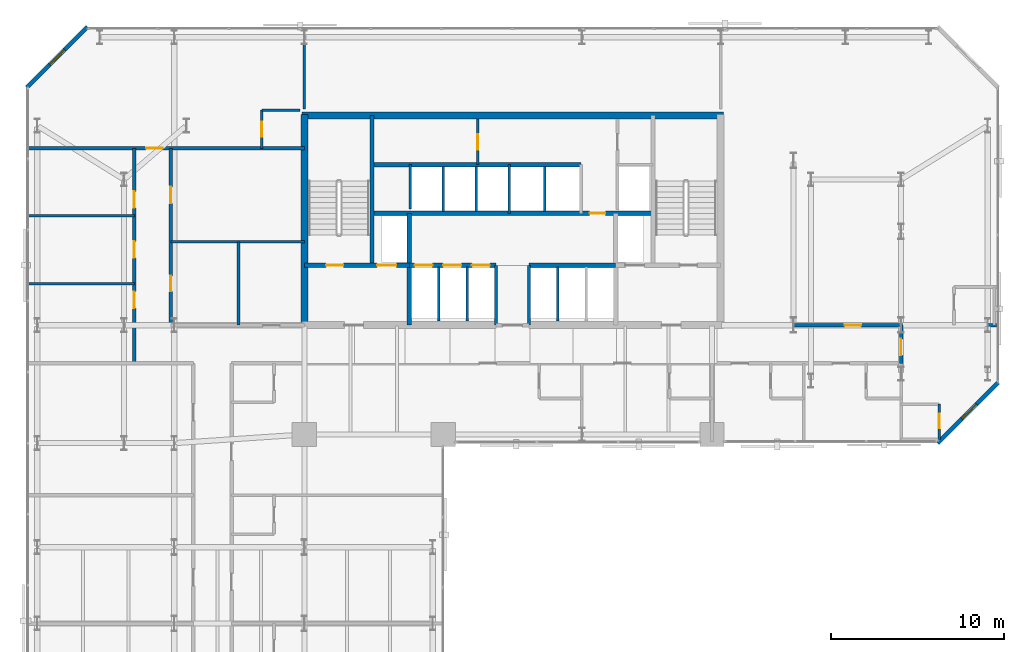
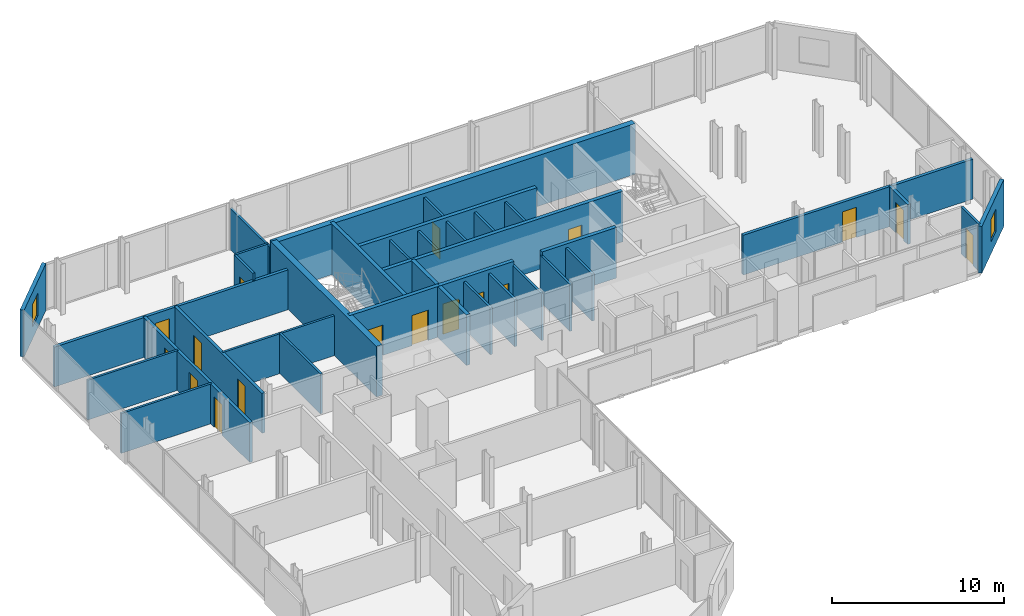
# One storey, part 29 of 32: 35 walls, 17 doors, 2 windows, 19 openings.
"""IFC4 building model written with IfcOpenShell, lengths in metres."""

from ifc_helpers import new_model, si_unit, direction, frame, frame_2d, origin, place, context, subcontext, project, spatial, rectangle, extrude, material, layer, layer_set, type_object, element, fill, save


model = new_model("IFC4")

# Units and contexts
model_context = context("Model", 3, precision=1e-05, world=origin(), true_north=direction((0.0, 1.0)))
body_context = subcontext(model_context, "Body", "Model", "MODEL_VIEW")
ifc_project = project(units=[si_unit("LENGTHUNIT", "METRE"), si_unit("AREAUNIT", "SQUARE_METRE"), si_unit("VOLUMEUNIT", "CUBIC_METRE"), si_unit("PLANEANGLEUNIT", "RADIAN"), si_unit("MASSUNIT", "GRAM", prefix="KILO")], contexts=[model_context])

# Site, building, storey
site_placement = place(None, origin())
site = spatial("IfcSite", under=ifc_project, at=site_placement, CompositionType="ELEMENT")
building_placement = place(site_placement, origin())
building = spatial("IfcBuilding", under=site, at=building_placement, Name="Catumbela Crestline Tower", CompositionType="ELEMENT")
storey_placement = place(building_placement, frame((0.0, 0.0, 65.4)))
storey = spatial("IfcBuildingStorey", under=building, at=storey_placement, Name="L16", CompositionType="ELEMENT", Elevation=65.4)

# Walls
ifc_material_1 = material(Name="Concrete C50/60", Category="concrete")
ifc_layer_1 = layer(ifc_material_1, 0.25, Name="Concrete C50/60")
ifc_layer_set_1 = layer_set([ifc_layer_1], Name="Concrete C50/60")
wall_type_1 = type_object("IfcWallType", Name="CW-250D", PredefinedType="SHEAR", material=ifc_layer_set_1)
wall_1_placement = place(storey_placement, frame((19.9, 34.25, 0.0), z_axis=(0.0, 0.0, 1.0), x_axis=(0.0, 1.0, 0.0)))
element("IfcWall", 1, at=wall_1_placement, inside=storey, type_object=wall_type_1, Name="L16 Structural Core Shear Wall WWEB", PredefinedType="SHEAR", context=body_context, shape_type="SweptSolid", body=[
    extrude(rectangle(XDim=8.65, YDim=0.25, at=frame_2d((4.325, 0.0))), origin(), (0.0, 0.0, 1.0), 3.6),
])
wall_2_placement = place(storey_placement, frame((22.05, 30.8, 0.0), z_axis=(0.0, 0.0, 1.0), x_axis=(0.0, 1.0, 0.0)))
element("IfcWall", 2, at=wall_2_placement, inside=storey, type_object=wall_type_1, Name="L16 Structural Core Shear Wall FFW", PredefinedType="SHEAR", context=body_context, shape_type="SweptSolid", body=[
    extrude(rectangle(XDim=6.45, YDim=0.25, at=frame_2d((3.225, 0.0))), origin(), (0.0, 0.0, 1.0), 3.6),
])

# Wall, openings, doors
wall_3_placement = place(storey_placement, frame((16.0, 34.25, 0.0), z_axis=(0.0, 0.0, 1.0), x_axis=(1.0, 0.0, 0.0)))
wall_3 = element("IfcWall", 3, at=wall_3_placement, inside=storey, type_object=wall_type_1, Name="L16 Structural Core Shear Wall ST1S", PredefinedType="SHEAR", context=body_context, shape_type="SweptSolid", body=[
    extrude(rectangle(XDim=6.05, YDim=0.25, at=frame_2d((3.025, 0.0))), origin(), (0.0, 0.0, 1.0), 3.6),
])
opening_1_placement = place(wall_3_placement, frame((1.25, 0.0, 0.0)))
opening_1 = element("IfcOpeningElement", 4, at=opening_1_placement, cuts=wall_3, Name="Opening DF9-100", PredefinedType="OPENING", context=body_context, shape_type="SweptSolid", body=[
    extrude(rectangle(XDim=1.0, YDim=2.15, at=frame_2d((0.5, 1.075))), frame((0.0, 0.135, 0.0), z_axis=(0.0, -1.0, 0.0), x_axis=(1.0, 0.0, 0.0)), (0.0, 0.0, 1.0), 0.27),
])
opening_2_placement = place(wall_3_placement, frame((4.2, 0.0, 0.0)))
opening_2 = element("IfcOpeningElement", 5, at=opening_2_placement, cuts=wall_3, Name="Opening LD-110", PredefinedType="OPENING", context=body_context, shape_type="SweptSolid", body=[
    extrude(rectangle(XDim=1.1, YDim=2.15, at=frame_2d((0.55, 1.075))), frame((0.0, 0.135, 0.0), z_axis=(0.0, -1.0, 0.0), x_axis=(1.0, 0.0, 0.0)), (0.0, 0.0, 1.0), 0.27),
])
ifc_material_2 = material(Name="Stainless steel EN 1.4401", Category="steel")
door_type_1 = type_object("IfcDoorType", Name="DF9-100", OperationType="NOTDEFINED", PredefinedType="DOOR", material=ifc_material_2)
door_1_placement = place(opening_1_placement, origin())
door_1 = element("IfcDoor", 6, at=door_1_placement, inside=storey, type_object=door_type_1, Name="L16 Interior Door DR-L16-ST01", OperationType="SINGLE_SWING_LEFT", OverallHeight=2.15, OverallWidth=1.0, PredefinedType="DOOR", context=body_context, shape_type="SweptSolid", body=[
    extrude(rectangle(XDim=1.0, YDim=2.15, at=frame_2d((0.5, 1.075))), frame((0.0, 0.025, 0.0), z_axis=(0.0, -1.0, 0.0), x_axis=(1.0, 0.0, 0.0)), (0.0, 0.0, 1.0), 0.05),
])
fill(opening_1, door_1)
door_type_2 = type_object("IfcDoorType", Name="LD-110", OperationType="NOTDEFINED", PredefinedType="DOOR", material=ifc_material_2)
door_2_placement = place(opening_2_placement, origin())
door_2 = element("IfcDoor", 7, at=door_2_placement, inside=storey, type_object=door_type_2, Name="L16 Lift Landing Sliding Door FL-01", OperationType="DOUBLE_DOOR_SLIDING", OverallHeight=2.15, OverallWidth=1.1, PredefinedType="DOOR", context=body_context, shape_type="SweptSolid", body=[
    extrude(rectangle(XDim=1.1, YDim=2.15, at=frame_2d((0.55, 1.075))), frame((0.0, 0.025, 0.0), z_axis=(0.0, -1.0, 0.0), x_axis=(1.0, 0.0, 0.0)), (0.0, 0.0, 1.0), 0.05),
])
fill(opening_2, door_2)

wall_4_placement = place(storey_placement, frame((22.05, 34.25, 0.0), z_axis=(0.0, 0.0, 1.0), x_axis=(1.0, 0.0, 0.0)))
wall_4 = element("IfcWall", 8, at=wall_4_placement, inside=storey, type_object=wall_type_1, Name="L16 Structural Core Shear Wall LIFTS-W", PredefinedType="SHEAR", context=body_context, shape_type="SweptSolid", body=[
    extrude(rectangle(XDim=5.0, YDim=0.25, at=frame_2d((2.5, 0.0))), origin(), (0.0, 0.0, 1.0), 3.6),
])
opening_3_placement = place(wall_4_placement, frame((0.3, 0.0, 0.0)))
opening_3 = element("IfcOpeningElement", 9, at=opening_3_placement, cuts=wall_4, Name="Opening LD-105", PredefinedType="OPENING", context=body_context, shape_type="SweptSolid", body=[
    extrude(rectangle(XDim=1.05, YDim=2.15, at=frame_2d((0.525, 1.075))), frame((0.0, 0.135, 0.0), z_axis=(0.0, -1.0, 0.0), x_axis=(1.0, 0.0, 0.0)), (0.0, 0.0, 1.0), 0.27),
])
opening_4_placement = place(wall_4_placement, frame((1.95, 0.0, 0.0)))
opening_4 = element("IfcOpeningElement", 10, at=opening_4_placement, cuts=wall_4, Name="Opening LD-105", PredefinedType="OPENING", context=body_context, shape_type="SweptSolid", body=[
    extrude(rectangle(XDim=1.05, YDim=2.15, at=frame_2d((0.525, 1.075))), frame((0.0, 0.135, 0.0), z_axis=(0.0, -1.0, 0.0), x_axis=(1.0, 0.0, 0.0)), (0.0, 0.0, 1.0), 0.27),
])
opening_5_placement = place(wall_4_placement, frame((3.6, 0.0, 0.0)))
opening_5 = element("IfcOpeningElement", 11, at=opening_5_placement, cuts=wall_4, Name="Opening LD-105", PredefinedType="OPENING", context=body_context, shape_type="SweptSolid", body=[
    extrude(rectangle(XDim=1.05, YDim=2.15, at=frame_2d((0.525, 1.075))), frame((0.0, 0.135, 0.0), z_axis=(0.0, -1.0, 0.0), x_axis=(1.0, 0.0, 0.0)), (0.0, 0.0, 1.0), 0.27),
])
door_type_3 = type_object("IfcDoorType", Name="LD-105", OperationType="NOTDEFINED", PredefinedType="DOOR", material=ifc_material_2)
door_3_placement = place(opening_3_placement, origin())
door_3 = element("IfcDoor", 12, at=door_3_placement, inside=storey, type_object=door_type_3, Name="L16 Lift Landing Sliding Door PL-L1", OperationType="DOUBLE_DOOR_SLIDING", OverallHeight=2.15, OverallWidth=1.05, PredefinedType="DOOR", context=body_context, shape_type="SweptSolid", body=[
    extrude(rectangle(XDim=1.05, YDim=2.15, at=frame_2d((0.525, 1.075))), frame((0.0, 0.025, 0.0), z_axis=(0.0, -1.0, 0.0), x_axis=(1.0, 0.0, 0.0)), (0.0, 0.0, 1.0), 0.05),
])
fill(opening_3, door_3)
door_4_placement = place(opening_4_placement, origin())
door_4 = element("IfcDoor", 13, at=door_4_placement, inside=storey, type_object=door_type_3, Name="L16 Lift Landing Sliding Door PL-L2", OperationType="DOUBLE_DOOR_SLIDING", OverallHeight=2.15, OverallWidth=1.05, PredefinedType="DOOR", context=body_context, shape_type="SweptSolid", body=[
    extrude(rectangle(XDim=1.05, YDim=2.15, at=frame_2d((0.525, 1.075))), frame((0.0, 0.025, 0.0), z_axis=(0.0, -1.0, 0.0), x_axis=(1.0, 0.0, 0.0)), (0.0, 0.0, 1.0), 0.05),
])
fill(opening_4, door_4)
door_5_placement = place(opening_5_placement, origin())
door_5 = element("IfcDoor", 14, at=door_5_placement, inside=storey, type_object=door_type_3, Name="L16 Lift Landing Sliding Door PL-L3", OperationType="DOUBLE_DOOR_SLIDING", OverallHeight=2.15, OverallWidth=1.05, PredefinedType="DOOR", context=body_context, shape_type="SweptSolid", body=[
    extrude(rectangle(XDim=1.05, YDim=2.15, at=frame_2d((0.525, 1.075))), frame((0.0, 0.025, 0.0), z_axis=(0.0, -1.0, 0.0), x_axis=(1.0, 0.0, 0.0)), (0.0, 0.0, 1.0), 0.05),
])
fill(opening_5, door_5)

# Wall
wall_5_placement = place(storey_placement, frame((28.95, 34.25, 0.0), z_axis=(0.0, 0.0, 1.0), x_axis=(1.0, 0.0, 0.0)))
element("IfcWall", 15, at=wall_5_placement, inside=storey, type_object=wall_type_1, Name="L16 Structural Core Shear Wall LIFTS-E", PredefinedType="SHEAR", context=body_context, shape_type="SweptSolid", body=[
    extrude(rectangle(XDim=5.0, YDim=0.25, at=frame_2d((2.5, 0.0))), origin(), (0.0, 0.0, 1.0), 3.6),
])

# Wall, opening, door
wall_6_placement = place(storey_placement, frame((19.9, 37.25, 0.0), z_axis=(0.0, 0.0, 1.0), x_axis=(1.0, 0.0, 0.0)))
wall_6 = element("IfcWall", 16, at=wall_6_placement, inside=storey, type_object=wall_type_1, Name="L16 Structural Core Shear Wall LIFTN", PredefinedType="SHEAR", context=body_context, shape_type="SweptSolid", body=[
    extrude(rectangle(XDim=16.2, YDim=0.25, at=frame_2d((8.1, 0.0))), origin(), (0.0, 0.0, 1.0), 3.6),
])
opening_6_placement = place(wall_6_placement, frame((12.55, 0.0, 0.0)))
opening_6 = element("IfcOpeningElement", 17, at=opening_6_placement, cuts=wall_6, Name="Opening DF9-090", PredefinedType="OPENING", context=body_context, shape_type="SweptSolid", body=[
    extrude(rectangle(XDim=0.9, YDim=2.15, at=frame_2d((0.45, 1.075))), frame((0.0, 0.135, 0.0), z_axis=(0.0, -1.0, 0.0), x_axis=(1.0, 0.0, 0.0)), (0.0, 0.0, 1.0), 0.27),
])
door_type_4 = type_object("IfcDoorType", Name="DF9-090", OperationType="NOTDEFINED", PredefinedType="DOOR", material=ifc_material_2)
door_6_placement = place(opening_6_placement, origin())
door_6 = element("IfcDoor", 18, at=door_6_placement, inside=storey, type_object=door_type_4, Name="L16 Interior Door DR-L16-CPAS1", OperationType="SINGLE_SWING_LEFT", OverallHeight=2.15, OverallWidth=0.9, PredefinedType="DOOR", context=body_context, shape_type="SweptSolid", body=[
    extrude(rectangle(XDim=0.9, YDim=2.15, at=frame_2d((0.45, 1.075))), frame((0.0, 0.025, 0.0), z_axis=(0.0, -1.0, 0.0), x_axis=(1.0, 0.0, 0.0)), (0.0, 0.0, 1.0), 0.05),
])
fill(opening_6, door_6)

# Walls
wall_7_placement = place(storey_placement, frame((19.9, 40.05, 0.0), z_axis=(0.0, 0.0, 1.0), x_axis=(1.0, 0.0, 0.0)))
element("IfcWall", 19, at=wall_7_placement, inside=storey, type_object=wall_type_1, Name="L16 Structural Core Shear Wall COREN", PredefinedType="SHEAR", context=body_context, shape_type="SweptSolid", body=[
    extrude(rectangle(XDim=12.05, YDim=0.25, at=frame_2d((6.025, 0.0))), origin(), (0.0, 0.0, 1.0), 3.6),
])
ifc_material_3 = material(Name="Concrete C60/75", Category="concrete")
ifc_layer_2 = layer(ifc_material_3, 0.4, Name="Concrete C60/75")
ifc_layer_set_2 = layer_set([ifc_layer_2], Name="Concrete C60/75")
wall_type_2 = type_object("IfcWallType", Name="CW-400A", PredefinedType="SHEAR", material=ifc_layer_set_2)
wall_8_placement = place(storey_placement, frame((16.0, 30.65, 0.0), z_axis=(0.0, 0.0, 1.0), x_axis=(0.0, 1.0, 0.0)))
element("IfcWall", 20, at=wall_8_placement, inside=storey, type_object=wall_type_2, Name="L16 Structural Core Shear Wall W", PredefinedType="SHEAR", context=body_context, shape_type="SweptSolid", body=[
    extrude(rectangle(XDim=12.3, YDim=0.4, at=frame_2d((6.15, 0.0))), origin(), (0.0, 0.0, 1.0), 3.6),
])
wall_9_placement = place(storey_placement, frame((15.85, 42.9, 0.0), z_axis=(0.0, 0.0, 1.0), x_axis=(1.0, 0.0, 0.0)))
element("IfcWall", 21, at=wall_9_placement, inside=storey, type_object=wall_type_2, Name="L16 Structural Core Shear Wall N", PredefinedType="SHEAR", context=body_context, shape_type="SweptSolid", body=[
    extrude(rectangle(XDim=24.3, YDim=0.4, at=frame_2d((12.15, 0.0))), origin(), (0.0, 0.0, 1.0), 3.6),
])

# Wall, openings, doors
ifc_material_4 = material(Name="Acoustic gypsum and mineral-wool partition")
ifc_layer_3 = layer(ifc_material_4, 0.2, Name="Acoustic gypsum and mineral-wool partition")
ifc_layer_set_3 = layer_set([ifc_layer_3], Name="Acoustic gypsum and mineral-wool partition")
wall_type_3 = type_object("IfcWallType", Name="WC-200", PredefinedType="PARTITIONING", material=ifc_layer_set_3)
wall_10_placement = place(storey_placement, frame((8.3, 30.8, 0.0), z_axis=(0.0, 0.0, 1.0), x_axis=(0.0, 1.0, 0.0)))
wall_10 = element("IfcWall", 22, at=wall_10_placement, inside=storey, type_object=wall_type_3, Name="L16 Interior Partition PW-L16-AWC-W", PredefinedType="PARTITIONING", context=body_context, shape_type="SweptSolid", body=[
    extrude(rectangle(XDim=10.2, YDim=0.2, at=frame_2d((5.1, 0.0))), origin(), (0.0, 0.0, 1.0), 2.83),
])
opening_7_placement = place(wall_10_placement, frame((1.95, 0.0, 0.0)))
opening_7 = element("IfcOpeningElement", 23, at=opening_7_placement, cuts=wall_10, Name="Opening DI-090", PredefinedType="OPENING", context=body_context, shape_type="SweptSolid", body=[
    extrude(rectangle(XDim=0.9, YDim=2.15, at=frame_2d((0.45, 1.075))), frame((0.0, 0.11, 0.0), z_axis=(0.0, -1.0, 0.0), x_axis=(1.0, 0.0, 0.0)), (0.0, 0.0, 1.0), 0.22),
])
opening_8_placement = place(wall_10_placement, frame((7.025, 0.0, 0.0)))
opening_8 = element("IfcOpeningElement", 24, at=opening_8_placement, cuts=wall_10, Name="Opening DF6-095", PredefinedType="OPENING", context=body_context, shape_type="SweptSolid", body=[
    extrude(rectangle(XDim=0.95, YDim=2.15, at=frame_2d((0.475, 1.075))), frame((0.0, 0.11, 0.0), z_axis=(0.0, -1.0, 0.0), x_axis=(1.0, 0.0, 0.0)), (0.0, 0.0, 1.0), 0.22),
])
ifc_material_5 = material(Name="Aluminium alloy AW-6060-T66", Category="aluminium")
door_type_5 = type_object("IfcDoorType", Name="DF6-095", OperationType="NOTDEFINED", PredefinedType="DOOR", material=ifc_material_5)
door_7_placement = place(opening_8_placement, origin())
door_7 = element("IfcDoor", 25, at=door_7_placement, inside=storey, type_object=door_type_5, Name="L16 Interior Door DR-L16-TEA-ENT", OperationType="SINGLE_SWING_LEFT", OverallHeight=2.15, OverallWidth=0.95, PredefinedType="DOOR", context=body_context, shape_type="SweptSolid", body=[
    extrude(rectangle(XDim=0.95, YDim=2.15, at=frame_2d((0.475, 1.075))), frame((0.0, 0.025, 0.0), z_axis=(0.0, -1.0, 0.0), x_axis=(1.0, 0.0, 0.0)), (0.0, 0.0, 1.0), 0.05),
])
fill(opening_8, door_7)
door_type_6 = type_object("IfcDoorType", Name="DI-090", OperationType="NOTDEFINED", PredefinedType="DOOR", material=ifc_material_5)
door_8_placement = place(opening_7_placement, origin())
door_8 = element("IfcDoor", 26, at=door_8_placement, inside=storey, type_object=door_type_6, Name="L16 Interior Door DR-L16-STWC", OperationType="SINGLE_SWING_RIGHT", OverallHeight=2.15, OverallWidth=0.9, PredefinedType="DOOR", context=body_context, shape_type="SweptSolid", body=[
    extrude(rectangle(XDim=0.9, YDim=2.15, at=frame_2d((0.45, 1.075))), frame((0.0, 0.025, 0.0), z_axis=(0.0, -1.0, 0.0), x_axis=(1.0, 0.0, 0.0)), (0.0, 0.0, 1.0), 0.05),
])
fill(opening_7, door_8)

# Wall, opening, door
wall_11_placement = place(storey_placement, frame((0.1, 41.0, 0.0), z_axis=(0.0, 0.0, 1.0), x_axis=(1.0, 0.0, 0.0)))
wall_11 = element("IfcWall", 27, at=wall_11_placement, inside=storey, type_object=wall_type_3, Name="L16 Interior Partition PW-L16-NWTOP-ENT", PredefinedType="PARTITIONING", context=body_context, shape_type="SweptSolid", body=[
    extrude(rectangle(XDim=15.9, YDim=0.2, at=frame_2d((7.95, 0.0))), origin(), (0.0, 0.0, 1.0), 2.83),
])
opening_9_placement = place(wall_11_placement, frame((6.7788, 0.0, 0.0)))
opening_9 = element("IfcOpeningElement", 28, at=opening_9_placement, cuts=wall_11, Name="Opening DF6-095", PredefinedType="OPENING", context=body_context, shape_type="SweptSolid", body=[
    extrude(rectangle(XDim=0.95, YDim=2.15, at=frame_2d((0.475, 1.075))), frame((0.0, 0.11, 0.0), z_axis=(0.0, -1.0, 0.0), x_axis=(1.0, 0.0, 0.0)), (0.0, 0.0, 1.0), 0.22),
])
door_9_placement = place(opening_9_placement, origin())
door_9 = element("IfcDoor", 29, at=door_9_placement, inside=storey, type_object=door_type_5, Name="L16 Interior Door DR-L16-NWTOP-ENT", OperationType="SINGLE_SWING_LEFT", OverallHeight=2.15, OverallWidth=0.95, PredefinedType="DOOR", context=body_context, shape_type="SweptSolid", body=[
    extrude(rectangle(XDim=0.95, YDim=2.15, at=frame_2d((0.475, 1.075))), frame((0.0, 0.025, 0.0), z_axis=(0.0, -1.0, 0.0), x_axis=(1.0, 0.0, 0.0)), (0.0, 0.0, 1.0), 0.05),
])
fill(opening_9, door_9)

# Wall, openings, doors
wall_12_placement = place(storey_placement, frame((6.2, 28.6, 0.0), z_axis=(0.0, 0.0, 1.0), x_axis=(0.0, 1.0, 0.0)))
wall_12 = element("IfcWall", 30, at=wall_12_placement, inside=storey, type_object=wall_type_3, Name="L16 Interior Partition PW-L16-TR1-ENT", PredefinedType="PARTITIONING", context=body_context, shape_type="SweptSolid", body=[
    extrude(rectangle(XDim=12.4, YDim=0.2, at=frame_2d((6.2, 0.0))), origin(), (0.0, 0.0, 1.0), 2.83),
])
opening_10_placement = place(wall_12_placement, frame((3.1818, 0.0, 0.0)))
opening_10 = element("IfcOpeningElement", 31, at=opening_10_placement, cuts=wall_12, Name="Opening DF6-095", PredefinedType="OPENING", context=body_context, shape_type="SweptSolid", body=[
    extrude(rectangle(XDim=0.95, YDim=2.15, at=frame_2d((0.475, 1.075))), frame((0.0, 0.11, 0.0), z_axis=(0.0, -1.0, 0.0), x_axis=(1.0, 0.0, 0.0)), (0.0, 0.0, 1.0), 0.22),
])
opening_11_placement = place(wall_12_placement, frame((6.075, 0.0, 0.0)))
opening_11 = element("IfcOpeningElement", 32, at=opening_11_placement, cuts=wall_12, Name="Opening DF6-095", PredefinedType="OPENING", context=body_context, shape_type="SweptSolid", body=[
    extrude(rectangle(XDim=0.95, YDim=2.15, at=frame_2d((0.475, 1.075))), frame((0.0, 0.11, 0.0), z_axis=(0.0, -1.0, 0.0), x_axis=(1.0, 0.0, 0.0)), (0.0, 0.0, 1.0), 0.22),
])
opening_12_placement = place(wall_12_placement, frame((8.966, 0.0, 0.0)))
opening_12 = element("IfcOpeningElement", 33, at=opening_12_placement, cuts=wall_12, Name="Opening DF6-095", PredefinedType="OPENING", context=body_context, shape_type="SweptSolid", body=[
    extrude(rectangle(XDim=0.95, YDim=2.15, at=frame_2d((0.475, 1.075))), frame((0.0, 0.11, 0.0), z_axis=(0.0, -1.0, 0.0), x_axis=(1.0, 0.0, 0.0)), (0.0, 0.0, 1.0), 0.22),
])
door_10_placement = place(opening_10_placement, origin())
door_10 = element("IfcDoor", 34, at=door_10_placement, inside=storey, type_object=door_type_5, Name="L16 Interior Door DR-L16-TR1-ENT", OperationType="SINGLE_SWING_RIGHT", OverallHeight=2.15, OverallWidth=0.95, PredefinedType="DOOR", context=body_context, shape_type="SweptSolid", body=[
    extrude(rectangle(XDim=0.95, YDim=2.15, at=frame_2d((0.475, 1.075))), frame((0.0, 0.025, 0.0), z_axis=(0.0, -1.0, 0.0), x_axis=(1.0, 0.0, 0.0)), (0.0, 0.0, 1.0), 0.05),
])
fill(opening_10, door_10)
door_11_placement = place(opening_11_placement, origin())
door_11 = element("IfcDoor", 35, at=door_11_placement, inside=storey, type_object=door_type_5, Name="L16 Interior Door DR-L16-TR2-ENT", OperationType="SINGLE_SWING_LEFT", OverallHeight=2.15, OverallWidth=0.95, PredefinedType="DOOR", context=body_context, shape_type="SweptSolid", body=[
    extrude(rectangle(XDim=0.95, YDim=2.15, at=frame_2d((0.475, 1.075))), frame((0.0, 0.025, 0.0), z_axis=(0.0, -1.0, 0.0), x_axis=(1.0, 0.0, 0.0)), (0.0, 0.0, 1.0), 0.05),
])
fill(opening_11, door_11)
door_12_placement = place(opening_12_placement, origin())
door_12 = element("IfcDoor", 36, at=door_12_placement, inside=storey, type_object=door_type_5, Name="L16 Interior Door DR-L16-TR3-ENT", OperationType="SINGLE_SWING_LEFT", OverallHeight=2.15, OverallWidth=0.95, PredefinedType="DOOR", context=body_context, shape_type="SweptSolid", body=[
    extrude(rectangle(XDim=0.95, YDim=2.15, at=frame_2d((0.475, 1.075))), frame((0.0, 0.025, 0.0), z_axis=(0.0, -1.0, 0.0), x_axis=(1.0, 0.0, 0.0)), (0.0, 0.0, 1.0), 0.05),
])
fill(opening_12, door_12)

# Wall, opening, door
wall_13_placement = place(storey_placement, frame((40.47, 30.8, 0.0), z_axis=(0.0, 0.0, 1.0), x_axis=(1.0, 0.0, 0.0)))
wall_13 = element("IfcWall", 37, at=wall_13_placement, inside=storey, type_object=wall_type_3, Name="L16 Interior Partition PW-L16-NES-ENT", PredefinedType="PARTITIONING", context=body_context, shape_type="SweptSolid", body=[
    extrude(rectangle(XDim=15.43, YDim=0.2, at=frame_2d((7.715, 0.0))), origin(), (0.0, 0.0, 1.0), 2.83),
])
opening_13_placement = place(wall_13_placement, frame((6.6725, 0.0, 0.0)))
opening_13 = element("IfcOpeningElement", 38, at=opening_13_placement, cuts=wall_13, Name="Opening DF6-095", PredefinedType="OPENING", context=body_context, shape_type="SweptSolid", body=[
    extrude(rectangle(XDim=0.95, YDim=2.15, at=frame_2d((0.475, 1.075))), frame((0.0, 0.11, 0.0), z_axis=(0.0, -1.0, 0.0), x_axis=(1.0, 0.0, 0.0)), (0.0, 0.0, 1.0), 0.22),
])
door_13_placement = place(opening_13_placement, origin())
door_13 = element("IfcDoor", 39, at=door_13_placement, inside=storey, type_object=door_type_5, Name="L16 Interior Door DR-L16-NES-ENT", OperationType="SINGLE_SWING_LEFT", OverallHeight=2.15, OverallWidth=0.95, PredefinedType="DOOR", context=body_context, shape_type="SweptSolid", body=[
    extrude(rectangle(XDim=0.95, YDim=2.15, at=frame_2d((0.475, 1.075))), frame((0.0, 0.025, 0.0), z_axis=(0.0, -1.0, 0.0), x_axis=(1.0, 0.0, 0.0)), (0.0, 0.0, 1.0), 0.05),
])
fill(opening_13, door_13)

wall_14_placement = place(storey_placement, frame((50.4, 28.6, 0.0), z_axis=(0.0, 0.0, 1.0), x_axis=(0.0, 1.0, 0.0)))
wall_14 = element("IfcWall", 40, at=wall_14_placement, inside=storey, type_object=wall_type_3, Name="L16 Interior Partition PW-L16-NESE-ENT", PredefinedType="PARTITIONING", context=body_context, shape_type="SweptSolid", body=[
    extrude(rectangle(XDim=2.2, YDim=0.2, at=frame_2d((1.1, 0.0))), origin(), (0.0, 0.0, 1.0), 2.83),
])
opening_14_placement = place(wall_14_placement, frame((0.46, 0.0, 0.0)))
opening_14 = element("IfcOpeningElement", 41, at=opening_14_placement, cuts=wall_14, Name="Opening DF6-095", PredefinedType="OPENING", context=body_context, shape_type="SweptSolid", body=[
    extrude(rectangle(XDim=0.95, YDim=2.15, at=frame_2d((0.475, 1.075))), frame((0.0, 0.11, 0.0), z_axis=(0.0, -1.0, 0.0), x_axis=(1.0, 0.0, 0.0)), (0.0, 0.0, 1.0), 0.22),
])
door_14_placement = place(opening_14_placement, origin())
door_14 = element("IfcDoor", 42, at=door_14_placement, inside=storey, type_object=door_type_5, Name="L16 Interior Door DR-L16-NESE-ENT", OperationType="SINGLE_SWING_RIGHT", OverallHeight=2.15, OverallWidth=0.95, PredefinedType="DOOR", context=body_context, shape_type="SweptSolid", body=[
    extrude(rectangle(XDim=0.95, YDim=2.15, at=frame_2d((0.475, 1.075))), frame((0.0, 0.025, 0.0), z_axis=(0.0, -1.0, 0.0), x_axis=(1.0, 0.0, 0.0)), (0.0, 0.0, 1.0), 0.05),
])
fill(opening_14, door_14)

# Wall, opening, window
ifc_material_6 = material(Name="Angolan grey-ochre granite", Category="masonry")
ifc_layer_4 = layer(ifc_material_6, 0.25, Name="Angolan grey-ochre granite")
ifc_layer_set_4 = layer_set([ifc_layer_4], Name="Angolan grey-ochre granite")
wall_type_4 = type_object("IfcWallType", Name="WE-250", PredefinedType="STANDARD", material=ifc_layer_set_4)
wall_15_placement = place(storey_placement, frame((52.5, 24.0, 0.0), z_axis=(0.0, 0.0, 1.0), x_axis=(0.707106781187, 0.707106781187, 0.0)))
wall_15 = element("IfcWall", 43, at=wall_15_placement, inside=storey, type_object=wall_type_4, Name="L16 Granite Punched Window Wall 4-1", PredefinedType="STANDARD", context=body_context, shape_type="SweptSolid", body=[
    extrude(rectangle(XDim=4.9497, YDim=0.25, at=frame_2d((2.4748, 0.0))), origin(), (0.0, 0.0, 1.0), 3.33),
])
opening_15_placement = place(wall_15_placement, frame((1.9851, 0.0, 0.85)))
opening_15 = element("IfcOpeningElement", 44, at=opening_15_placement, cuts=wall_15, Name="Opening WN-02", PredefinedType="OPENING", context=body_context, shape_type="SweptSolid", body=[
    extrude(rectangle(XDim=1.2, YDim=1.6, at=frame_2d((0.6, 0.8))), frame((0.0, 0.135, 0.0), z_axis=(0.0, -1.0, 0.0), x_axis=(1.0, 0.0, 0.0)), (0.0, 0.0, 1.0), 0.27),
])
ifc_material_7 = material(Name="Low-E laminated solar-control double glazing", Category="glass")
window_type = type_object("IfcWindowType", Name="WO-1200", PartitioningType="SINGLE_PANEL", PredefinedType="WINDOW", material=ifc_material_7)
window_1_placement = place(opening_15_placement, origin())
window_1 = element("IfcWindow", 45, at=window_1_placement, inside=storey, type_object=window_type, Name="L16 Facade Vision Window 104", OverallHeight=1.6, OverallWidth=1.2, PartitioningType="SINGLE_PANEL", PredefinedType="WINDOW", context=body_context, shape_type="SweptSolid", body=[
    extrude(rectangle(XDim=1.2, YDim=1.6, at=frame_2d((0.6, 0.8))), frame((0.0, 0.03, 0.0), z_axis=(0.0, -1.0, 0.0), x_axis=(1.0, 0.0, 0.0)), (0.0, 0.0, 1.0), 0.06),
])
fill(opening_15, window_1)

wall_16_placement = place(storey_placement, frame((3.5, 48.0, 0.0), z_axis=(0.0, 0.0, 1.0), x_axis=(-0.707106781187, -0.707106781187, 0.0)))
wall_16 = element("IfcWall", 46, at=wall_16_placement, inside=storey, type_object=wall_type_4, Name="L16 Granite Punched Window Wall 8-1", PredefinedType="STANDARD", context=body_context, shape_type="SweptSolid", body=[
    extrude(rectangle(XDim=4.9497, YDim=0.25, at=frame_2d((2.4748, 0.0))), origin(), (0.0, 0.0, 1.0), 3.33),
])
opening_16_placement = place(wall_16_placement, frame((1.8748, 0.0, 0.85)))
opening_16 = element("IfcOpeningElement", 47, at=opening_16_placement, cuts=wall_16, Name="Opening WN-02", PredefinedType="OPENING", context=body_context, shape_type="SweptSolid", body=[
    extrude(rectangle(XDim=1.2, YDim=1.6, at=frame_2d((0.6, 0.8))), frame((0.0, 0.135, 0.0), z_axis=(0.0, -1.0, 0.0), x_axis=(1.0, 0.0, 0.0)), (0.0, 0.0, 1.0), 0.27),
])
window_2_placement = place(opening_16_placement, origin())
window_2 = element("IfcWindow", 48, at=window_2_placement, inside=storey, type_object=window_type, Name="L16 Facade Vision Window 106", OverallHeight=1.6, OverallWidth=1.2, PartitioningType="SINGLE_PANEL", PredefinedType="WINDOW", context=body_context, shape_type="SweptSolid", body=[
    extrude(rectangle(XDim=1.2, YDim=1.6, at=frame_2d((0.6, 0.8))), frame((0.0, 0.03, 0.0), z_axis=(0.0, -1.0, 0.0), x_axis=(1.0, 0.0, 0.0)), (0.0, 0.0, 1.0), 0.06),
])
fill(opening_16, window_2)

# Wall, opening, door
ifc_layer_5 = layer(ifc_material_4, 0.15, Name="Acoustic gypsum and mineral-wool partition")
ifc_layer_set_5 = layer_set([ifc_layer_5], Name="Acoustic gypsum and mineral-wool partition")
wall_type_5 = type_object("IfcWallType", Name="WP-150", PredefinedType="PARTITIONING", material=ifc_layer_set_5)
wall_17_placement = place(storey_placement, frame((26.0, 40.05, 0.0), z_axis=(0.0, 0.0, 1.0), x_axis=(0.0, 1.0, 0.0)))
wall_17 = element("IfcWall", 49, at=wall_17_placement, inside=storey, type_object=wall_type_5, Name="L16 Interior Partition PW-L16-CR-WW", PredefinedType="PARTITIONING", context=body_context, shape_type="SweptSolid", body=[
    extrude(rectangle(XDim=2.63, YDim=0.15, at=frame_2d((1.315, 0.0))), origin(), (0.0, 0.0, 1.0), 3.33),
])
opening_17_placement = place(wall_17_placement, frame((0.865, 0.0, 0.0)))
opening_17 = element("IfcOpeningElement", 50, at=opening_17_placement, cuts=wall_17, Name="Opening DF9-090", PredefinedType="OPENING", context=body_context, shape_type="SweptSolid", body=[
    extrude(rectangle(XDim=0.9, YDim=2.15, at=frame_2d((0.45, 1.075))), frame((0.0, 0.085, 0.0), z_axis=(0.0, -1.0, 0.0), x_axis=(1.0, 0.0, 0.0)), (0.0, 0.0, 1.0), 0.17),
])
door_15_placement = place(opening_17_placement, origin())
door_15 = element("IfcDoor", 51, at=door_15_placement, inside=storey, type_object=door_type_4, Name="L16 Interior Door DR-L16-CRWEST", OperationType="SINGLE_SWING_LEFT", OverallHeight=2.15, OverallWidth=0.9, PredefinedType="DOOR", context=body_context, shape_type="SweptSolid", body=[
    extrude(rectangle(XDim=0.9, YDim=2.15, at=frame_2d((0.45, 1.075))), frame((0.0, 0.025, 0.0), z_axis=(0.0, -1.0, 0.0), x_axis=(1.0, 0.0, 0.0)), (0.0, 0.0, 1.0), 0.05),
])
fill(opening_17, door_15)

# Walls
wall_18_placement = place(storey_placement, frame((8.3, 35.6, 0.0), z_axis=(0.0, 0.0, 1.0), x_axis=(1.0, 0.0, 0.0)))
element("IfcWall", 52, at=wall_18_placement, inside=storey, type_object=wall_type_5, Name="L16 Interior Partition PW-L16-HK-N", PredefinedType="PARTITIONING", context=body_context, shape_type="SweptSolid", body=[
    extrude(rectangle(XDim=7.7, YDim=0.15, at=frame_2d((3.85, 0.0))), origin(), (0.0, 0.0, 1.0), 2.83),
])
wall_19_placement = place(storey_placement, frame((12.2, 30.8, 0.0), z_axis=(0.0, 0.0, 1.0), x_axis=(0.0, 1.0, 0.0)))
element("IfcWall", 53, at=wall_19_placement, inside=storey, type_object=wall_type_5, Name="L16 Interior Partition PW-L16-HK-M", PredefinedType="PARTITIONING", context=body_context, shape_type="SweptSolid", body=[
    extrude(rectangle(XDim=4.8, YDim=0.15, at=frame_2d((2.4, 0.0))), origin(), (0.0, 0.0, 1.0), 2.83),
])
wall_20_placement = place(storey_placement, frame((13.55, 43.2, 0.0), z_axis=(0.0, 0.0, 1.0), x_axis=(1.0, 0.0, 0.0)))
element("IfcWall", 54, at=wall_20_placement, inside=storey, type_object=wall_type_5, Name="L16 Interior Partition PW-L16-NWTOP-BHW", PredefinedType="PARTITIONING", context=body_context, shape_type="SweptSolid", body=[
    extrude(rectangle(XDim=2.1897, YDim=0.15, at=frame_2d((1.0949, 0.0))), origin(), (0.0, 0.0, 1.0), 3.33),
])

# Wall, opening, door
wall_21_placement = place(storey_placement, frame((13.55, 41.0, 0.0), z_axis=(0.0, 0.0, 1.0), x_axis=(0.0, 1.0, 0.0)))
wall_21 = element("IfcWall", 55, at=wall_21_placement, inside=storey, type_object=wall_type_5, Name="L16 Interior Partition PW-L16-NWTOP-BWW", PredefinedType="PARTITIONING", context=body_context, shape_type="SweptSolid", body=[
    extrude(rectangle(XDim=2.2, YDim=0.15, at=frame_2d((1.1, 0.0))), origin(), (0.0, 0.0, 1.0), 3.33),
])
opening_18_placement = place(wall_21_placement, frame((0.675, 0.0, 0.0)))
opening_18 = element("IfcOpeningElement", 56, at=opening_18_placement, cuts=wall_21, Name="Opening DI-085", PredefinedType="OPENING", context=body_context, shape_type="SweptSolid", body=[
    extrude(rectangle(XDim=0.85, YDim=2.15, at=frame_2d((0.425, 1.075))), frame((0.0, 0.085, 0.0), z_axis=(0.0, -1.0, 0.0), x_axis=(1.0, 0.0, 0.0)), (0.0, 0.0, 1.0), 0.17),
])
door_type_7 = type_object("IfcDoorType", Name="DI-085", OperationType="NOTDEFINED", PredefinedType="DOOR", material=ifc_material_5)
door_16_placement = place(opening_18_placement, origin())
door_16 = element("IfcDoor", 57, at=door_16_placement, inside=storey, type_object=door_type_7, Name="L16 Interior Door DR-L16-NWTOP-BTH", OperationType="SINGLE_SWING_RIGHT", OverallHeight=2.15, OverallWidth=0.85, PredefinedType="DOOR", context=body_context, shape_type="SweptSolid", body=[
    extrude(rectangle(XDim=0.85, YDim=2.15, at=frame_2d((0.425, 1.075))), frame((0.0, 0.025, 0.0), z_axis=(0.0, -1.0, 0.0), x_axis=(1.0, 0.0, 0.0)), (0.0, 0.0, 1.0), 0.05),
])
fill(opening_18, door_16)

# Walls
for number, where, z_axis, x_axis, name in (
    (58, (0.1, 33.2, 0.0), (0.0, 0.0, 1.0), (1.0, 0.0, 0.0), "L16 Interior Partition PW-L16-G3-1"),
    (59, (0.1, 37.1, 0.0), (0.0, 0.0, 1.0), (1.0, 0.0, 0.0), "L16 Interior Partition PW-L16-G3-2"),
):
    element("IfcWall", number, at=place(storey_placement, frame(where, z_axis=z_axis, x_axis=x_axis)), inside=storey, type_object=wall_type_5, Name=name, PredefinedType="PARTITIONING", context=body_context, shape_type="SweptSolid", body=[
        extrude(rectangle(XDim=6.1, YDim=0.15, at=frame_2d((3.05, 0.0))), origin(), (0.0, 0.0, 1.0), 2.83),
    ])
wall_22_placement = place(storey_placement, frame((16.0, 43.27, 0.0), z_axis=(0.0, 0.0, 1.0), x_axis=(0.0, 1.0, 0.0)))
element("IfcWall", 60, at=wall_22_placement, inside=storey, type_object=wall_type_5, Name="L16 Interior Partition PW-L16-NCF-W", PredefinedType="PARTITIONING", context=body_context, shape_type="SweptSolid", body=[
    extrude(rectangle(XDim=4.63, YDim=0.15, at=frame_2d((2.315, 0.0))), origin(), (0.0, 0.0, 1.0), 2.92),
])

# Wall, opening, door
wall_23_placement = place(storey_placement, frame((52.6, 24.2, 0.0), z_axis=(0.0, 0.0, 1.0), x_axis=(0.0, 1.0, 0.0)))
wall_23 = element("IfcWall", 61, at=wall_23_placement, inside=storey, type_object=wall_type_5, Name="L16 Interior Partition PW-L16-NESE-BEW", PredefinedType="PARTITIONING", context=body_context, shape_type="SweptSolid", body=[
    extrude(rectangle(XDim=2.05, YDim=0.15, at=frame_2d((1.025, 0.0))), origin(), (0.0, 0.0, 1.0), 3.33),
])
opening_19_placement = place(wall_23_placement, frame((0.6514, 0.0, 0.0)))
opening_19 = element("IfcOpeningElement", 62, at=opening_19_placement, cuts=wall_23, Name="Opening DI-085", PredefinedType="OPENING", context=body_context, shape_type="SweptSolid", body=[
    extrude(rectangle(XDim=0.85, YDim=2.15, at=frame_2d((0.425, 1.075))), frame((0.0, 0.085, 0.0), z_axis=(0.0, -1.0, 0.0), x_axis=(1.0, 0.0, 0.0)), (0.0, 0.0, 1.0), 0.17),
])
door_17_placement = place(opening_19_placement, origin())
door_17 = element("IfcDoor", 63, at=door_17_placement, inside=storey, type_object=door_type_7, Name="L16 Interior Door DR-L16-NESE-BTH", OperationType="SINGLE_SWING_LEFT", OverallHeight=2.15, OverallWidth=0.85, PredefinedType="DOOR", context=body_context, shape_type="SweptSolid", body=[
    extrude(rectangle(XDim=0.85, YDim=2.15, at=frame_2d((0.425, 1.075))), frame((0.0, 0.025, 0.0), z_axis=(0.0, -1.0, 0.0), x_axis=(1.0, 0.0, 0.0)), (0.0, 0.0, 1.0), 0.05),
])
fill(opening_19, door_17)

# Walls
ifc_layer_6 = layer(ifc_material_4, 0.15, Name="Acoustic gypsum and mineral-wool partition")
ifc_layer_set_6 = layer_set([ifc_layer_6], Name="Acoustic gypsum and mineral-wool partition")
wall_type_6 = type_object("IfcWallType", Name="WS-150", PredefinedType="PLUMBINGWALL", material=ifc_layer_set_6)
for number, where, z_axis, x_axis, name in (
    (64, (27.05, 30.8, 0.0), (0.0, 0.0, 1.0), (0.0, 1.0, 0.0), "L16 Interior Partition PW-L16-THRW"),
    (65, (28.95, 30.8, 0.0), (0.0, 0.0, 1.0), (0.0, 1.0, 0.0), "L16 Interior Partition PW-L16-THRE"),
):
    element("IfcWall", number, at=place(storey_placement, frame(where, z_axis=z_axis, x_axis=x_axis)), inside=storey, type_object=wall_type_6, Name=name, PredefinedType="PLUMBINGWALL", context=body_context, shape_type="SweptSolid", body=[
        extrude(rectangle(XDim=3.45, YDim=0.15, at=frame_2d((1.725, 0.0))), origin(), (0.0, 0.0, 1.0), 3.33),
    ])
for number, where, z_axis, x_axis, name in (
    (66, (23.75, 31.05, 0.0), (0.0, 0.0, 1.0), (0.0, 1.0, 0.0), "L16 Interior Partition PW-L16-SHL1"),
    (67, (25.4, 31.05, 0.0), (0.0, 0.0, 1.0), (0.0, 1.0, 0.0), "L16 Interior Partition PW-L16-SHL2"),
    (68, (30.6, 31.05, 0.0), (0.0, 0.0, 1.0), (0.0, 1.0, 0.0), "L16 Interior Partition PW-L16-SHM1"),
):
    element("IfcWall", number, at=place(storey_placement, frame(where, z_axis=z_axis, x_axis=x_axis)), inside=storey, type_object=wall_type_6, Name=name, PredefinedType="PLUMBINGWALL", context=body_context, shape_type="SweptSolid", body=[
        extrude(rectangle(XDim=3.1, YDim=0.15, at=frame_2d((1.55, 0.0))), origin(), (0.0, 0.0, 1.0), 3.33),
    ])
wall_24_placement = place(storey_placement, frame((22.1, 37.4897, 0.0), z_axis=(0.0, 0.0, 1.0), x_axis=(0.0, 1.0, 0.0)))
element("IfcWall", 69, at=wall_24_placement, inside=storey, type_object=wall_type_6, Name="L16 Interior Partition PW-L16-SHH0", PredefinedType="PLUMBINGWALL", context=body_context, shape_type="SweptSolid", body=[
    extrude(rectangle(XDim=2.5603, YDim=0.15, at=frame_2d((1.2801, 0.0))), origin(), (0.0, 0.0, 1.0), 3.33),
])
wall_25_placement = place(storey_placement, frame((27.8, 37.25, 0.0), z_axis=(0.0, 0.0, 1.0), x_axis=(0.0, 1.0, 0.0)))
element("IfcWall", 70, at=wall_25_placement, inside=storey, type_object=wall_type_6, Name="L16 Interior Partition PW-L16-SHH3", PredefinedType="PLUMBINGWALL", context=body_context, shape_type="SweptSolid", body=[
    extrude(rectangle(XDim=2.8, YDim=0.15, at=frame_2d((1.4, 0.0))), origin(), (0.0, 0.0, 1.0), 3.33),
])
for number, where, z_axis, x_axis, name in (
    (71, (24.0, 37.35, 0.0), (0.0, 0.0, 1.0), (0.0, 1.0, 0.0), "L16 Interior Partition PW-L16-SHH1"),
    (72, (25.9, 37.35, 0.0), (0.0, 0.0, 1.0), (0.0, 1.0, 0.0), "L16 Interior Partition PW-L16-SHH2"),
    (73, (29.85, 37.35, 0.0), (0.0, 0.0, 1.0), (0.0, 1.0, 0.0), "L16 Interior Partition PW-L16-SHEX1"),
):
    element("IfcWall", number, at=place(storey_placement, frame(where, z_axis=z_axis, x_axis=x_axis)), inside=storey, type_object=wall_type_6, Name=name, PredefinedType="PLUMBINGWALL", context=body_context, shape_type="SweptSolid", body=[
        extrude(rectangle(XDim=2.6, YDim=0.15, at=frame_2d((1.3, 0.0))), origin(), (0.0, 0.0, 1.0), 3.33),
    ])

save(model, "model.ifc")
